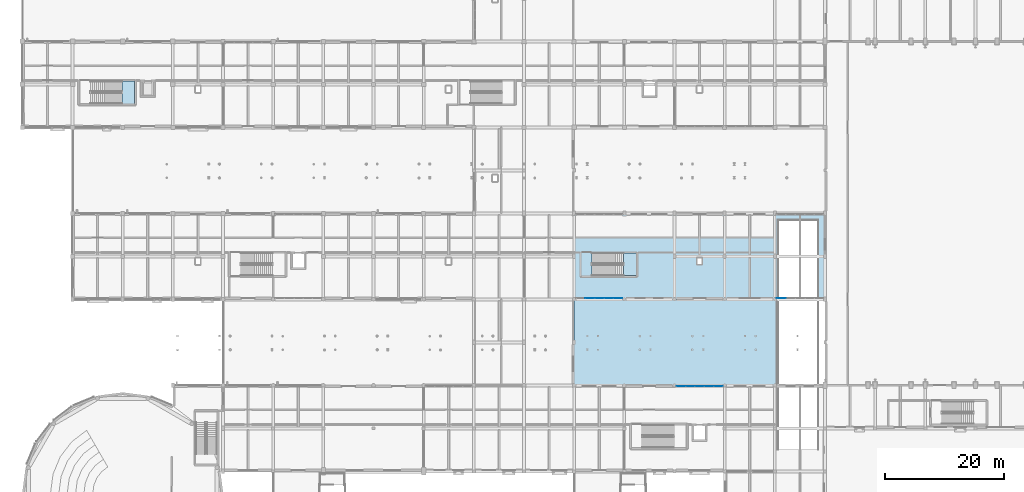
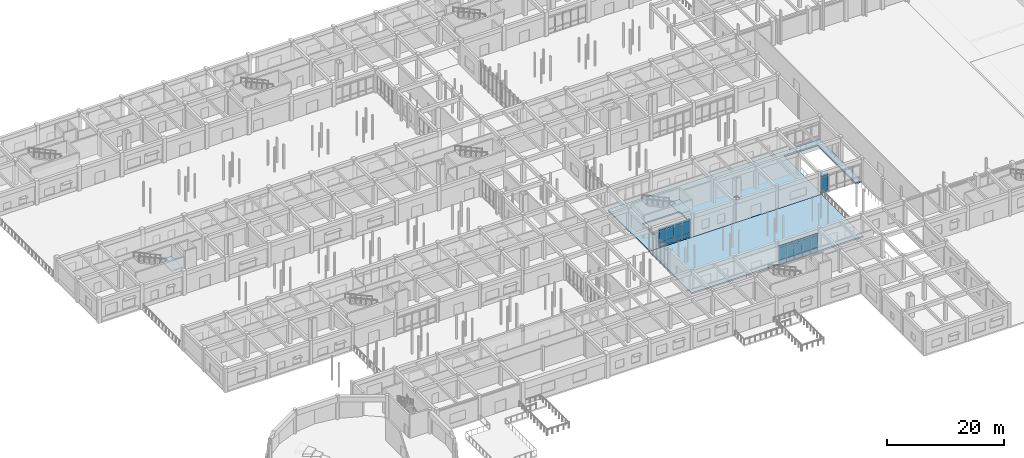
# One storey, part 66 of 121: 30 plates, 4 slabs, 5 elements without a shape of their own.
"""IFC4 building model written with IfcOpenShell, lengths in metres."""

import ifcopenshell
import ifcopenshell.guid

model = None  # the IFC model being written
_history = None  # IfcOwnerHistory: only IFC2X3 demands one
_inside = {}  # id of a spatial element -> (the spatial element, [elements in it])
_under = {}  # id of a project, library or spatial element -> (it, [spatial elements below it])
_declared = {}  # id of a project -> (the project, [libraries it declares])
_typed = {}  # id of a type object -> (the type object, [elements of that type])
_made_of = {}  # id of a material, layer set ... -> (it, [elements and type objects made of it])


def new_model(schema):
    """Start an empty IFC model of exactly this schema.

    Asked for "IFC4X3", IfcOpenShell would pick the latest addendum, in which some entities
    have other attributes; the version numbers below select the first issue.
    IFC2X3 requires an IfcOwnerHistory on every rooted entity: one is made here for all.
    """
    global model, _history
    if schema == "IFC4X3":
        model = ifcopenshell.file(schema_version=(4, 3, 0, 0))
    else:
        model = ifcopenshell.file(schema=schema)
    _inside.clear()
    _under.clear()
    _declared.clear()
    _typed.clear()
    _made_of.clear()
    _history = None
    if model.schema == "IFC2X3":
        org = make("IfcOrganization", Name="unknown")
        user = make(
            "IfcPersonAndOrganization",
            ThePerson=make("IfcPerson", FamilyName="unknown"),
            TheOrganization=org,
        )
        app = make(
            "IfcApplication",
            ApplicationDeveloper=org,
            Version="unknown",
            ApplicationFullName="unknown",
            ApplicationIdentifier="unknown",
        )
        _history = make(
            "IfcOwnerHistory",
            OwningUser=user,
            OwningApplication=app,
            ChangeAction="ADDED",
            CreationDate=0,
        )
    return model


def make(cls, **values):
    """One entity of the class cls with the attributes given. An attribute that is None is left unset."""
    return model.create_entity(
        cls, **{name: value for name, value in values.items() if value is not None}
    )


def rooted(cls, **values):
    """An entity with a GlobalId (a new one), such as an element, a storey or a relation."""
    return make(cls, GlobalId=ifcopenshell.guid.new(), OwnerHistory=_history, **values)


def si_unit(unit_type, name, prefix=None):
    """IfcSIUnit, for example si_unit("LENGTHUNIT", "METRE", prefix="MILLI")."""
    return make("IfcSIUnit", UnitType=unit_type, Prefix=prefix, Name=name)


def assignment(units):
    """IfcUnitAssignment: the units of a project."""
    return None if units is None else make("IfcUnitAssignment", Units=units)


def point(xyz):
    """IfcCartesianPoint."""
    return None if xyz is None else make("IfcCartesianPoint", Coordinates=xyz)


def direction(xyz):
    """IfcDirection."""
    return None if xyz is None else make("IfcDirection", DirectionRatios=xyz)


def frame(location, z_axis=None, x_axis=None):
    """IfcAxis2Placement3D, a coordinate frame: its origin and axes. An axis left out is left unset."""
    return make(
        "IfcAxis2Placement3D",
        Location=point(location),
        Axis=direction(z_axis),
        RefDirection=direction(x_axis),
    )


def frame_2d(location, x_axis=None):
    """IfcAxis2Placement2D, a coordinate frame in the plane: its origin and x axis."""
    return make(
        "IfcAxis2Placement2D", Location=point(location), RefDirection=direction(x_axis)
    )


def origin():
    """The frame at (0, 0, 0) with its axes left unset."""
    return frame((0.0, 0.0, 0.0))


def origin_2d():
    """The frame at (0, 0) in the plane with its x axis left unset."""
    return frame_2d((0.0, 0.0))


def place(relative_to, where):
    """IfcLocalPlacement: puts the frame where relative to a parent placement (None: the world)."""
    return make(
        "IfcLocalPlacement", PlacementRelTo=relative_to, RelativePlacement=where
    )


def context(
    kind, dimensions, precision=None, world=None, true_north=None, identifier=None
):
    """IfcGeometricRepresentationContext, for example the 3D "Model" context."""
    return make(
        "IfcGeometricRepresentationContext",
        ContextIdentifier=identifier,
        ContextType=kind,
        CoordinateSpaceDimension=dimensions,
        Precision=precision,
        WorldCoordinateSystem=world,
        TrueNorth=true_north,
    )


def subcontext(parent, identifier, kind, view, scale=None):
    """IfcGeometricRepresentationSubContext, for example "Body" below "Model"."""
    return make(
        "IfcGeometricRepresentationSubContext",
        ContextIdentifier=identifier,
        ContextType=kind,
        ParentContext=parent,
        TargetScale=scale,
        TargetView=view,
    )


def project(units=None, contexts=None):
    """IfcProject with its units and contexts."""
    return rooted(
        "IfcProject",
        Name="project",
        RepresentationContexts=contexts,
        UnitsInContext=assignment(units),
    )


def spatial(cls, under=None, at=None, **own):
    """A site, building, storey or space (cls), placed at a placement, below another one or the project."""
    s = rooted(cls, ObjectPlacement=at, **own)
    if under is not None:
        _under.setdefault(under.id(), (under, []))[1].append(s)
    return s


def polyline(points):
    """IfcPolyline through the points."""
    return make("IfcPolyline", Points=[point(p) for p in points])


def profile(cls, at=None, kind="AREA", **sizes):
    """A parametric profile (cls). Its sizes go by their IFC names, for example OverallWidth=200.0."""
    return make(cls, ProfileType=kind, Position=at, **sizes)


def rectangle(**sizes):
    """IfcRectangleProfileDef."""
    return profile("IfcRectangleProfileDef", **sizes)


def outline(outer, holes=None, kind="AREA"):
    """IfcArbitraryClosedProfileDef: a profile drawn as a closed curve; with holes, ...WithVoids."""
    if holes is None:
        return make("IfcArbitraryClosedProfileDef", ProfileType=kind, OuterCurve=outer)
    return make(
        "IfcArbitraryProfileDefWithVoids",
        ProfileType=kind,
        OuterCurve=outer,
        InnerCurves=holes,
    )


def extrude(swept, where, along, depth):
    """IfcExtrudedAreaSolid: the profile swept, set in the frame where, extruded along a direction by depth."""
    return make(
        "IfcExtrudedAreaSolid",
        SweptArea=swept,
        Position=where,
        ExtrudedDirection=direction(along),
        Depth=depth,
    )


def shape(context_of_items, identifier, shape_type, items):
    """IfcShapeRepresentation: the items that make up one representation, for example the "Body"."""
    return make(
        "IfcShapeRepresentation",
        ContextOfItems=context_of_items,
        RepresentationIdentifier=identifier,
        RepresentationType=shape_type,
        Items=items,
    )


def material(Name=None, Category=None):
    """IfcMaterial."""
    return make("IfcMaterial", Name=Name, Category=Category)


def layer(
    of_material, thickness, ventilated=None, Name=None, Category=None, Priority=None
):
    """IfcMaterialLayer: one layer of a wall or slab, of a material (None: an air gap)."""
    return make(
        "IfcMaterialLayer",
        Material=of_material,
        LayerThickness=thickness,
        IsVentilated=ventilated,
        Name=Name,
        Category=Category,
        Priority=Priority,
    )


def layer_set(layers, Name=None):
    """IfcMaterialLayerSet."""
    return make("IfcMaterialLayerSet", MaterialLayers=layers, LayerSetName=Name)


def made_of(thing, what):
    """Note that an element or type object is made of a material, layer set ...; save() writes the relation."""
    if what is not None:
        _made_of.setdefault(what.id(), (what, []))[1].append(thing)
    return thing


def type_object(cls, material=None, **own):
    """A type object (cls), such as IfcWallType, which elements share."""
    return made_of(rooted(cls, **own), material)


def element(
    cls,
    number,
    at=None,
    inside=None,
    cuts=None,
    type_object=None,
    material=None,
    context=None,
    identifier="Body",
    shape_type=None,
    held_by="IfcProductDefinitionShape",
    body=None,
    shapes=None,
    **own,
):
    """One element of the class cls, such as IfcWall. Its Tag is "e" and its number.

    at: its placement. inside: the storey or other place that contains it. cuts: it is an
    opening in that element (IfcRelVoidsElement). A single representation is given by context,
    identifier, shape_type and body (its items); several are given by shapes. held_by: the class
    of the entity that holds the representations. save() writes the other relations.
    """
    e = rooted(cls, Tag="e%d" % number, ObjectPlacement=at, **own)
    if body is not None:
        shapes = [shape(context, identifier, shape_type, body)]
    if shapes is not None:
        e.Representation = make(held_by, Representations=shapes)
    if inside is not None:
        _inside.setdefault(inside.id(), (inside, []))[1].append(e)
    if cuts is not None:
        rooted(
            "IfcRelVoidsElement", RelatingBuildingElement=cuts, RelatedOpeningElement=e
        )
    if type_object is not None:
        _typed.setdefault(type_object.id(), (type_object, []))[1].append(e)
    return made_of(e, material)


def aggregate(whole, parts):
    """IfcRelAggregates: a whole, such as a stair, and the parts it consists of."""
    return rooted("IfcRelAggregates", RelatingObject=whole, RelatedObjects=parts)


def save(model, path):
    """Write the relations noted so far, then the file.

    IfcRelAggregates (storeys below a building ...), IfcRelContainedInSpatialStructure (elements
    in a storey), IfcRelDefinesByType, IfcRelAssociatesMaterial and IfcRelDeclares: one each for
    every whole, place, type object, material and project.
    """
    for whole, parts in _under.values():
        aggregate(whole, parts)
    for where, things in _inside.values():
        rooted(
            "IfcRelContainedInSpatialStructure",
            RelatedElements=things,
            RelatingStructure=where,
        )
    for kind, things in _typed.values():
        rooted("IfcRelDefinesByType", RelatedObjects=things, RelatingType=kind)
    for what, things in _made_of.values():
        rooted("IfcRelAssociatesMaterial", RelatedObjects=things, RelatingMaterial=what)
    for by, libraries in _declared.values():
        rooted("IfcRelDeclares", RelatingContext=by, RelatedDefinitions=libraries)
    model.write(path)


model = new_model("IFC4")

# Units and contexts
model_context = context("Model", 3, precision=1e-05, world=origin(), true_north=direction((0.0, 1.0)))
body_context = subcontext(model_context, "Body", "Model", "MODEL_VIEW")
ifc_project = project(units=[si_unit("LENGTHUNIT", "METRE"), si_unit("AREAUNIT", "SQUARE_METRE"), si_unit("VOLUMEUNIT", "CUBIC_METRE"), si_unit("PLANEANGLEUNIT", "RADIAN"), si_unit("MASSUNIT", "GRAM", prefix="KILO")], contexts=[model_context])

# Site, building, storey
site_placement = place(None, origin())
site = spatial("IfcSite", under=ifc_project, at=site_placement, CompositionType="ELEMENT")
building_placement = place(site_placement, origin())
building = spatial("IfcBuilding", under=site, at=building_placement, Name="Malvenik Polytechnic", CompositionType="ELEMENT")
storey_placement = place(building_placement, origin())
storey = spatial("IfcBuildingStorey", under=building, at=storey_placement, Name="L00", CompositionType="ELEMENT", Elevation=0.0)

# Curtain wall, plates
ifc_material_1 = material(Name="Anodised aluminium 6060-T6", Category="aluminium")
curtain_wall_type = type_object("IfcCurtainWallType", Name="ARC-CW-CW-01", PredefinedType="NOTDEFINED", material=ifc_material_1)
curtain_wall_1_placement = place(storey_placement, origin())
curtain_wall_1 = element("IfcCurtainWall", 1, at=curtain_wall_1_placement, inside=storey, type_object=curtain_wall_type, Name="Unitised Curtain Wall CW-01 L00 #14", PredefinedType="NOTDEFINED")
ifc_material_2 = material(Name="Triple solar-control glazing 8-14-6-14-8", Category="glass")
ifc_layer_1 = layer(ifc_material_2, 0.035888671875)
ifc_layer_set_1 = layer_set([ifc_layer_1], Name="Triple solar-control glazing 8-14-6-14-8")
plate_type_1 = type_object("IfcPlateType", Name="ARC-CWP-CP-GLZ36", PredefinedType="CURTAIN_PANEL", material=ifc_layer_set_1)
plate_1_placement = place(storey_placement, frame((127.098388671875, 50.570068359375, 0.97998046875), z_axis=(0.0, 0.0, 1.0), x_axis=(-1.0, 0.0, 0.0)))
plate_1 = element("IfcPlate", 2, at=plate_1_placement, type_object=plate_type_1, Name="CW-01 panel 5.2", PredefinedType="CURTAIN_PANEL", context=body_context, shape_type="SweptSolid", body=[
    extrude(rectangle(XDim=1.480712890625, YDim=0.028076171875, at=origin_2d()), origin(), (0.0, 0.0, 1.0), 2.35009765625),
])
plate_2_placement = place(storey_placement, frame((127.098388671875, 50.570068359375, 3.389892578125), z_axis=(0.0, 0.0, 1.0), x_axis=(-1.0, 0.0, 0.0)))
plate_2 = element("IfcPlate", 3, at=plate_2_placement, type_object=plate_type_1, Name="CW-01 panel 5.3", PredefinedType="CURTAIN_PANEL", context=body_context, shape_type="SweptSolid", body=[
    extrude(rectangle(XDim=1.480712890625, YDim=0.028076171875, at=origin_2d()), origin(), (0.0, 0.0, 1.0), 0.56005859375),
])

curtain_wall_2_placement = place(storey_placement, origin())
curtain_wall_2 = element("IfcCurtainWall", 4, at=curtain_wall_2_placement, inside=storey, type_object=curtain_wall_type, Name="Unitised Curtain Wall CW-01 L00 #15", PredefinedType="NOTDEFINED")
plate_3_placement = place(storey_placement, frame((99.70654296875, 50.570068359375, 0.97998046875), z_axis=(0.0, 0.0, 1.0), x_axis=(-1.0, 0.0, 0.0)))
plate_3 = element("IfcPlate", 5, at=plate_3_placement, type_object=plate_type_1, Name="CW-01 panel 1.2", PredefinedType="CURTAIN_PANEL", context=body_context, shape_type="SweptSolid", body=[
    extrude(rectangle(XDim=1.470703125, YDim=0.028076171875, at=origin_2d()), origin(), (0.0, 0.0, 1.0), 2.35009765625),
])
plate_4_placement = place(storey_placement, frame((99.70654296875, 50.570068359375, 3.389892578125), z_axis=(0.0, 0.0, 1.0), x_axis=(-1.0, 0.0, 0.0)))
plate_4 = element("IfcPlate", 6, at=plate_4_placement, type_object=plate_type_1, Name="CW-01 panel 1.3", PredefinedType="CURTAIN_PANEL", context=body_context, shape_type="SweptSolid", body=[
    extrude(rectangle(XDim=1.470703125, YDim=0.028076171875, at=origin_2d()), origin(), (0.0, 0.0, 1.0), 0.56005859375),
])
plate_5_placement = place(storey_placement, frame((98.160888671875, 50.570068359375, 0.97998046875), z_axis=(0.0, 0.0, 1.0), x_axis=(-1.0, 0.0, 0.0)))
plate_5 = element("IfcPlate", 7, at=plate_5_placement, type_object=plate_type_1, Name="CW-01 panel 2.2", PredefinedType="CURTAIN_PANEL", context=body_context, shape_type="SweptSolid", body=[
    extrude(rectangle(XDim=1.500732421875, YDim=0.028076171875, at=origin_2d()), origin(), (0.0, 0.0, 1.0), 2.35009765625),
])
plate_6_placement = place(storey_placement, frame((98.160888671875, 50.570068359375, 3.389892578125), z_axis=(0.0, 0.0, 1.0), x_axis=(-1.0, 0.0, 0.0)))
plate_6 = element("IfcPlate", 8, at=plate_6_placement, type_object=plate_type_1, Name="CW-01 panel 2.3", PredefinedType="CURTAIN_PANEL", context=body_context, shape_type="SweptSolid", body=[
    extrude(rectangle(XDim=1.500732421875, YDim=0.028076171875, at=origin_2d()), origin(), (0.0, 0.0, 1.0), 0.56005859375),
])
plate_7_placement = place(storey_placement, frame((96.60009765625, 50.570068359375, 0.97998046875), z_axis=(0.0, 0.0, 1.0), x_axis=(-1.0, 0.0, 0.0)))
plate_7 = element("IfcPlate", 9, at=plate_7_placement, type_object=plate_type_1, Name="CW-01 panel 3.2", PredefinedType="CURTAIN_PANEL", context=body_context, shape_type="SweptSolid", body=[
    extrude(rectangle(XDim=1.500732421875, YDim=0.028076171875, at=origin_2d()), origin(), (0.0, 0.0, 1.0), 2.35009765625),
])
plate_8_placement = place(storey_placement, frame((96.60009765625, 50.570068359375, 3.389892578125), z_axis=(0.0, 0.0, 1.0), x_axis=(-1.0, 0.0, 0.0)))
plate_8 = element("IfcPlate", 10, at=plate_8_placement, type_object=plate_type_1, Name="CW-01 panel 3.3", PredefinedType="CURTAIN_PANEL", context=body_context, shape_type="SweptSolid", body=[
    extrude(rectangle(XDim=1.500732421875, YDim=0.028076171875, at=origin_2d()), origin(), (0.0, 0.0, 1.0), 0.56005859375),
])
plate_9_placement = place(storey_placement, frame((95.039306640625, 50.570068359375, 0.97998046875), z_axis=(0.0, 0.0, 1.0), x_axis=(-1.0, 0.0, 0.0)))
plate_9 = element("IfcPlate", 11, at=plate_9_placement, type_object=plate_type_1, Name="CW-01 panel 4.2", PredefinedType="CURTAIN_PANEL", context=body_context, shape_type="SweptSolid", body=[
    extrude(rectangle(XDim=1.500732421875, YDim=0.028076171875, at=origin_2d()), origin(), (0.0, 0.0, 1.0), 2.35009765625),
])
plate_10_placement = place(storey_placement, frame((95.039306640625, 50.570068359375, 3.389892578125), z_axis=(0.0, 0.0, 1.0), x_axis=(-1.0, 0.0, 0.0)))
plate_10 = element("IfcPlate", 12, at=plate_10_placement, type_object=plate_type_1, Name="CW-01 panel 4.3", PredefinedType="CURTAIN_PANEL", context=body_context, shape_type="SweptSolid", body=[
    extrude(rectangle(XDim=1.500732421875, YDim=0.028076171875, at=origin_2d()), origin(), (0.0, 0.0, 1.0), 0.56005859375),
])

curtain_wall_3_placement = place(storey_placement, origin())
curtain_wall_3 = element("IfcCurtainWall", 13, at=curtain_wall_3_placement, inside=storey, type_object=curtain_wall_type, Name="Unitised Curtain Wall CW-01 L00 #17", PredefinedType="NOTDEFINED")
plate_11_placement = place(storey_placement, frame((110.29345703125, 35.830078125, 0.97998046875), z_axis=(0.0, 0.0, 1.0), x_axis=(1.0, 0.0, 0.0)))
plate_11 = element("IfcPlate", 14, at=plate_11_placement, type_object=plate_type_1, Name="CW-01 panel 1.2", PredefinedType="CURTAIN_PANEL", context=body_context, shape_type="SweptSolid", body=[
    extrude(rectangle(XDim=1.470703125, YDim=0.028076171875, at=origin_2d()), origin(), (0.0, 0.0, 1.0), 2.35009765625),
])
plate_12_placement = place(storey_placement, frame((110.29345703125, 35.830078125, 3.389892578125), z_axis=(0.0, 0.0, 1.0), x_axis=(1.0, 0.0, 0.0)))
plate_12 = element("IfcPlate", 15, at=plate_12_placement, type_object=plate_type_1, Name="CW-01 panel 1.3", PredefinedType="CURTAIN_PANEL", context=body_context, shape_type="SweptSolid", body=[
    extrude(rectangle(XDim=1.470703125, YDim=0.028076171875, at=origin_2d()), origin(), (0.0, 0.0, 1.0), 0.56005859375),
])
plate_13_placement = place(storey_placement, frame((111.839111328125, 35.830078125, 0.97998046875), z_axis=(0.0, 0.0, 1.0), x_axis=(1.0, 0.0, 0.0)))
plate_13 = element("IfcPlate", 16, at=plate_13_placement, type_object=plate_type_1, Name="CW-01 panel 2.2", PredefinedType="CURTAIN_PANEL", context=body_context, shape_type="SweptSolid", body=[
    extrude(rectangle(XDim=1.500732421875, YDim=0.028076171875, at=origin_2d()), origin(), (0.0, 0.0, 1.0), 2.35009765625),
])
plate_14_placement = place(storey_placement, frame((111.839111328125, 35.830078125, 3.389892578125), z_axis=(0.0, 0.0, 1.0), x_axis=(1.0, 0.0, 0.0)))
plate_14 = element("IfcPlate", 17, at=plate_14_placement, type_object=plate_type_1, Name="CW-01 panel 2.3", PredefinedType="CURTAIN_PANEL", context=body_context, shape_type="SweptSolid", body=[
    extrude(rectangle(XDim=1.500732421875, YDim=0.028076171875, at=origin_2d()), origin(), (0.0, 0.0, 1.0), 0.56005859375),
])
plate_15_placement = place(storey_placement, frame((113.39990234375, 35.830078125, 0.97998046875), z_axis=(0.0, 0.0, 1.0), x_axis=(1.0, 0.0, 0.0)))
plate_15 = element("IfcPlate", 18, at=plate_15_placement, type_object=plate_type_1, Name="CW-01 panel 3.2", PredefinedType="CURTAIN_PANEL", context=body_context, shape_type="SweptSolid", body=[
    extrude(rectangle(XDim=1.500732421875, YDim=0.028076171875, at=origin_2d()), origin(), (0.0, 0.0, 1.0), 2.35009765625),
])
plate_16_placement = place(storey_placement, frame((113.39990234375, 35.830078125, 3.389892578125), z_axis=(0.0, 0.0, 1.0), x_axis=(1.0, 0.0, 0.0)))
plate_16 = element("IfcPlate", 19, at=plate_16_placement, type_object=plate_type_1, Name="CW-01 panel 3.3", PredefinedType="CURTAIN_PANEL", context=body_context, shape_type="SweptSolid", body=[
    extrude(rectangle(XDim=1.500732421875, YDim=0.028076171875, at=origin_2d()), origin(), (0.0, 0.0, 1.0), 0.56005859375),
])
plate_17_placement = place(storey_placement, frame((114.960693359375, 35.830078125, 0.97998046875), z_axis=(0.0, 0.0, 1.0), x_axis=(1.0, 0.0, 0.0)))
plate_17 = element("IfcPlate", 20, at=plate_17_placement, type_object=plate_type_1, Name="CW-01 panel 4.2", PredefinedType="CURTAIN_PANEL", context=body_context, shape_type="SweptSolid", body=[
    extrude(rectangle(XDim=1.500732421875, YDim=0.028076171875, at=origin_2d()), origin(), (0.0, 0.0, 1.0), 2.35009765625),
])
plate_18_placement = place(storey_placement, frame((114.960693359375, 35.830078125, 3.389892578125), z_axis=(0.0, 0.0, 1.0), x_axis=(1.0, 0.0, 0.0)))
plate_18 = element("IfcPlate", 21, at=plate_18_placement, type_object=plate_type_1, Name="CW-01 panel 4.3", PredefinedType="CURTAIN_PANEL", context=body_context, shape_type="SweptSolid", body=[
    extrude(rectangle(XDim=1.500732421875, YDim=0.028076171875, at=origin_2d()), origin(), (0.0, 0.0, 1.0), 0.56005859375),
])
plate_19_placement = place(storey_placement, frame((116.506591796875, 35.830078125, 0.97998046875), z_axis=(0.0, 0.0, 1.0), x_axis=(1.0, 0.0, 0.0)))
plate_19 = element("IfcPlate", 22, at=plate_19_placement, type_object=plate_type_1, Name="CW-01 panel 5.2", PredefinedType="CURTAIN_PANEL", context=body_context, shape_type="SweptSolid", body=[
    extrude(rectangle(XDim=1.470703125, YDim=0.028076171875, at=origin_2d()), origin(), (0.0, 0.0, 1.0), 2.35009765625),
])
plate_20_placement = place(storey_placement, frame((116.506591796875, 35.830078125, 3.389892578125), z_axis=(0.0, 0.0, 1.0), x_axis=(1.0, 0.0, 0.0)))
plate_20 = element("IfcPlate", 23, at=plate_20_placement, type_object=plate_type_1, Name="CW-01 panel 5.3", PredefinedType="CURTAIN_PANEL", context=body_context, shape_type="SweptSolid", body=[
    extrude(rectangle(XDim=1.470703125, YDim=0.028076171875, at=origin_2d()), origin(), (0.0, 0.0, 1.0), 0.56005859375),
])

# Plate
ifc_material_3 = material(Name="Insulated aluminium spandrel cassette 42mm", Category="aluminium")
ifc_layer_2 = layer(ifc_material_3, 0.0419921875)
ifc_layer_set_2 = layer_set([ifc_layer_2], Name="Insulated aluminium spandrel cassette 42mm")
plate_type_2 = type_object("IfcPlateType", Name="ARC-CWP-CP-SPN42", PredefinedType="CURTAIN_PANEL", material=ifc_layer_set_2)
plate_21_placement = place(storey_placement, frame((127.098388671875, 50.570068359375, 0.06005859375), z_axis=(0.0, 0.0, 1.0), x_axis=(-1.0, 0.0, 0.0)))
plate_21 = element("IfcPlate", 24, at=plate_21_placement, type_object=plate_type_2, Name="CW-01 panel 5.1", PredefinedType="CURTAIN_PANEL", context=body_context, shape_type="SweptSolid", body=[
    extrude(rectangle(XDim=1.480712890625, YDim=0.028076171875, at=origin_2d()), origin(), (0.0, 0.0, 1.0), 0.860107421875),
])

aggregate(curtain_wall_1, [plate_21, plate_1, plate_2])

plate_22_placement = place(storey_placement, frame((99.70654296875, 50.570068359375, 0.06005859375), z_axis=(0.0, 0.0, 1.0), x_axis=(-1.0, 0.0, 0.0)))
plate_22 = element("IfcPlate", 25, at=plate_22_placement, type_object=plate_type_2, Name="CW-01 panel 1.1", PredefinedType="CURTAIN_PANEL", context=body_context, shape_type="SweptSolid", body=[
    extrude(rectangle(XDim=1.470703125, YDim=0.028076171875, at=origin_2d()), origin(), (0.0, 0.0, 1.0), 0.860107421875),
])

plate_23_placement = place(storey_placement, frame((98.160888671875, 50.570068359375, 0.06005859375), z_axis=(0.0, 0.0, 1.0), x_axis=(-1.0, 0.0, 0.0)))
plate_23 = element("IfcPlate", 26, at=plate_23_placement, type_object=plate_type_2, Name="CW-01 panel 2.1", PredefinedType="CURTAIN_PANEL", context=body_context, shape_type="SweptSolid", body=[
    extrude(rectangle(XDim=1.500732421875, YDim=0.028076171875, at=origin_2d()), origin(), (0.0, 0.0, 1.0), 0.860107421875),
])

plate_24_placement = place(storey_placement, frame((96.60009765625, 50.570068359375, 0.06005859375), z_axis=(0.0, 0.0, 1.0), x_axis=(-1.0, 0.0, 0.0)))
plate_24 = element("IfcPlate", 27, at=plate_24_placement, type_object=plate_type_2, Name="CW-01 panel 3.1", PredefinedType="CURTAIN_PANEL", context=body_context, shape_type="SweptSolid", body=[
    extrude(rectangle(XDim=1.500732421875, YDim=0.028076171875, at=origin_2d()), origin(), (0.0, 0.0, 1.0), 0.860107421875),
])

plate_25_placement = place(storey_placement, frame((95.039306640625, 50.570068359375, 0.06005859375), z_axis=(0.0, 0.0, 1.0), x_axis=(-1.0, 0.0, 0.0)))
plate_25 = element("IfcPlate", 28, at=plate_25_placement, type_object=plate_type_2, Name="CW-01 panel 4.1", PredefinedType="CURTAIN_PANEL", context=body_context, shape_type="SweptSolid", body=[
    extrude(rectangle(XDim=1.500732421875, YDim=0.028076171875, at=origin_2d()), origin(), (0.0, 0.0, 1.0), 0.860107421875),
])

aggregate(curtain_wall_2, [plate_22, plate_3, plate_4, plate_23, plate_5, plate_6, plate_24, plate_7, plate_8, plate_25, plate_9, plate_10])

plate_26_placement = place(storey_placement, frame((110.29345703125, 35.830078125, 0.06005859375), z_axis=(0.0, 0.0, 1.0), x_axis=(1.0, 0.0, 0.0)))
plate_26 = element("IfcPlate", 29, at=plate_26_placement, type_object=plate_type_2, Name="CW-01 panel 1.1", PredefinedType="CURTAIN_PANEL", context=body_context, shape_type="SweptSolid", body=[
    extrude(rectangle(XDim=1.470703125, YDim=0.028076171875, at=origin_2d()), origin(), (0.0, 0.0, 1.0), 0.860107421875),
])

plate_27_placement = place(storey_placement, frame((111.839111328125, 35.830078125, 0.06005859375), z_axis=(0.0, 0.0, 1.0), x_axis=(1.0, 0.0, 0.0)))
plate_27 = element("IfcPlate", 30, at=plate_27_placement, type_object=plate_type_2, Name="CW-01 panel 2.1", PredefinedType="CURTAIN_PANEL", context=body_context, shape_type="SweptSolid", body=[
    extrude(rectangle(XDim=1.500732421875, YDim=0.028076171875, at=origin_2d()), origin(), (0.0, 0.0, 1.0), 0.860107421875),
])

plate_28_placement = place(storey_placement, frame((113.39990234375, 35.830078125, 0.06005859375), z_axis=(0.0, 0.0, 1.0), x_axis=(1.0, 0.0, 0.0)))
plate_28 = element("IfcPlate", 31, at=plate_28_placement, type_object=plate_type_2, Name="CW-01 panel 3.1", PredefinedType="CURTAIN_PANEL", context=body_context, shape_type="SweptSolid", body=[
    extrude(rectangle(XDim=1.500732421875, YDim=0.028076171875, at=origin_2d()), origin(), (0.0, 0.0, 1.0), 0.860107421875),
])

plate_29_placement = place(storey_placement, frame((114.960693359375, 35.830078125, 0.06005859375), z_axis=(0.0, 0.0, 1.0), x_axis=(1.0, 0.0, 0.0)))
plate_29 = element("IfcPlate", 32, at=plate_29_placement, type_object=plate_type_2, Name="CW-01 panel 4.1", PredefinedType="CURTAIN_PANEL", context=body_context, shape_type="SweptSolid", body=[
    extrude(rectangle(XDim=1.500732421875, YDim=0.028076171875, at=origin_2d()), origin(), (0.0, 0.0, 1.0), 0.860107421875),
])

plate_30_placement = place(storey_placement, frame((116.506591796875, 35.830078125, 0.06005859375), z_axis=(0.0, 0.0, 1.0), x_axis=(1.0, 0.0, 0.0)))
plate_30 = element("IfcPlate", 33, at=plate_30_placement, type_object=plate_type_2, Name="CW-01 panel 5.1", PredefinedType="CURTAIN_PANEL", context=body_context, shape_type="SweptSolid", body=[
    extrude(rectangle(XDim=1.470703125, YDim=0.028076171875, at=origin_2d()), origin(), (0.0, 0.0, 1.0), 0.860107421875),
])

aggregate(curtain_wall_3, [plate_26, plate_11, plate_12, plate_27, plate_13, plate_14, plate_28, plate_15, plate_16, plate_29, plate_17, plate_18, plate_30, plate_19, plate_20])

# Stair, slab
ifc_material_4 = material(Name="Concrete C35/45", Category="concrete")
stair_type_1 = type_object("IfcStairType", Name="ARC-STR-ST-04", PredefinedType="HALF_TURN_STAIR", material=ifc_material_4)
stair_1_placement = place(storey_placement, origin())
stair_1 = element("IfcStair", 34, at=stair_1_placement, inside=storey, type_object=stair_type_1, Name="L00 Escape Stair ST-04", PredefinedType="HALF_TURN_STAIR")
ifc_layer_3 = layer(ifc_material_4, 0.199951171875)
ifc_layer_set_3 = layer_set([ifc_layer_3], Name="Concrete C35/45")
slab_type_1 = type_object("IfcSlabType", Name="ARC-SLB-STLND", PredefinedType="LANDING", material=ifc_layer_set_3)
slab_1_placement = place(storey_placement, frame((0.0, 0.0, 2.35009765625)))
slab_1 = element("IfcSlab", 35, at=slab_1_placement, type_object=slab_type_1, Name="ST-04 landing 1", PredefinedType="LANDING", context=body_context, shape_type="SweptSolid", body=[
    extrude(outline(polyline([(16.679931640625, 83.14990234375), (18.800048828125, 83.14990234375), (18.800048828125, 86.949951171875), (16.679931640625, 86.949951171875), (16.679931640625, 83.14990234375)])), origin(), (0.0, 0.0, 1.0), 0.199951171875),
])
aggregate(stair_1, [slab_1])

stair_type_2 = type_object("IfcStairType", Name="ARC-STR-ST-07", PredefinedType="HALF_TURN_STAIR", material=ifc_material_4)
stair_2_placement = place(storey_placement, origin())
stair_2 = element("IfcStair", 36, at=stair_2_placement, inside=storey, type_object=stair_type_2, Name="L00 Escape Stair ST-07", PredefinedType="HALF_TURN_STAIR")
slab_2_placement = place(storey_placement, frame((0.0, 0.0, 2.35009765625)))
slab_2 = element("IfcSlab", 37, at=slab_2_placement, type_object=slab_type_1, Name="ST-07 landing 1", PredefinedType="LANDING", context=body_context, shape_type="SweptSolid", body=[
    extrude(outline(polyline([(100.679931640625, 54.35009765625), (102.800048828125, 54.35009765625), (102.800048828125, 58.14990234375), (100.679931640625, 58.14990234375), (100.679931640625, 54.35009765625)])), origin(), (0.0, 0.0, 1.0), 0.199951171875),
])
aggregate(stair_2, [slab_2])

# Slabs
ifc_layer_4 = layer(ifc_material_4, 0.300048828125)
ifc_layer_set_4 = layer_set([ifc_layer_4], Name="Concrete C35/45")
slab_type_2 = type_object("IfcSlabType", Name="STR-SLB-FLR-300", PredefinedType="FLOOR", material=ifc_layer_set_4)
slab_3_placement = place(storey_placement, frame((0.0, 0.0, -0.300048828125)))
element("IfcSlab", 38, at=slab_3_placement, inside=storey, type_object=slab_type_2, Name="Structural Slab L00-V3 #26", PredefinedType="FLOOR", context=body_context, shape_type="SweptSolid", body=[
    extrude(outline(polyline([(134.3798828125, 64.800048828125), (134.3798828125, 50.39990234375), (133.199951171875, 50.39990234375), (133.199951171875, 63.580078125), (126.60009765625, 63.580078125), (126.60009765625, 50.39990234375), (92.419921875, 50.39990234375), (92.419921875, 64.800048828125), (134.3798828125, 64.800048828125)]), holes=[polyline([(102.800048828125, 54.35009765625), (102.800048828125, 58.14990234375), (95.41796875, 58.14990234375), (95.41796875, 54.35009765625), (102.800048828125, 54.35009765625)]), polyline([(113.75, 57.25), (113.0, 57.25), (113.0, 56.300048828125), (113.75, 56.300048828125), (113.75, 57.25)])]), origin(), (0.0, 0.0, 1.0), 0.300048828125),
])
slab_4_placement = place(storey_placement, frame((0.0, 0.0, -0.300048828125)))
element("IfcSlab", 39, at=slab_4_placement, inside=storey, type_object=slab_type_2, Name="Exterior Terrace Slab L00 #40", PredefinedType="FLOOR", context=body_context, shape_type="SweptSolid", body=[
    extrude(outline(polyline([(92.39990234375, 50.39990234375), (92.400390625, 50.39990234375), (126.3994140625, 50.39990234375), (126.39990234375, 50.39990234375), (126.39990234375, 50.3994140625), (126.39990234375, 36.00048828125), (126.39990234375, 36.0), (126.3994140625, 36.0), (92.400390625, 36.0), (92.39990234375, 36.0), (92.39990234375, 36.00048828125), (92.39990234375, 50.3994140625), (92.39990234375, 50.39990234375)])), origin(), (0.0, 0.0, 1.0), 0.300048828125),
])

save(model, "model.ifc")
